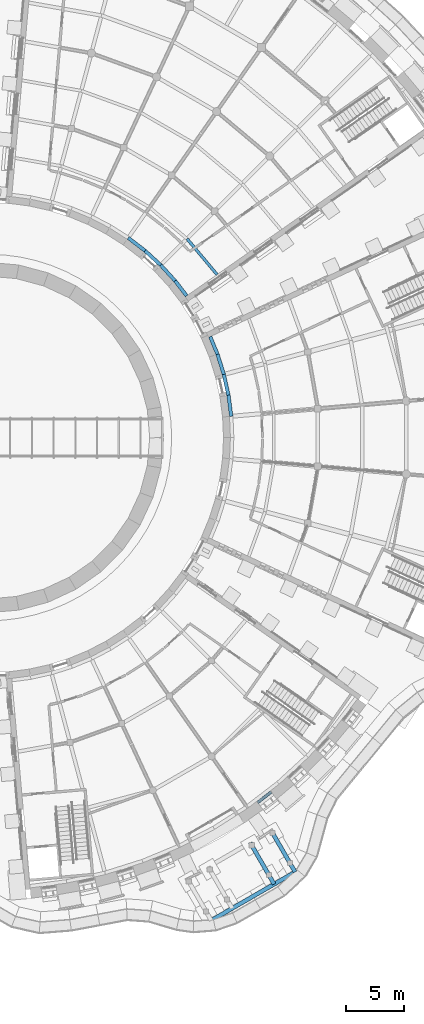
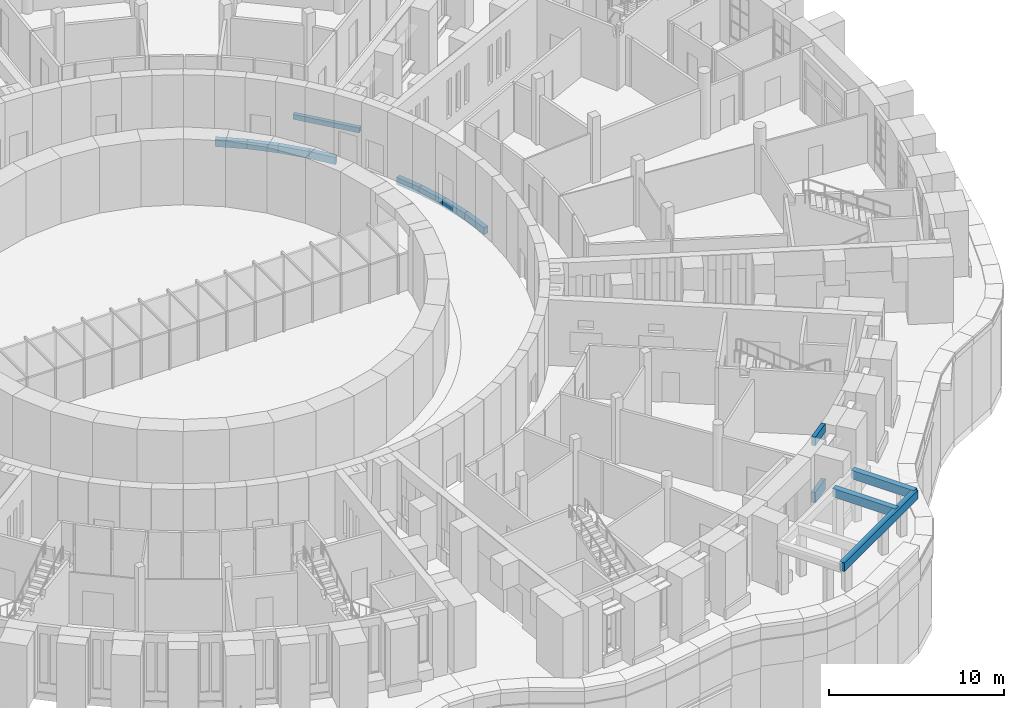
# One storey, part 18 of 85: 14 beams.
"""IFC4 building model written with IfcOpenShell, lengths in metres."""

from ifc_helpers import new_model, si_unit, direction, frame, origin, origin_2d, place, context, subcontext, project, spatial, rectangle, extrude, material, material_profile, profile_set, type_object, element, save


model = new_model("IFC4")

# Units and contexts
model_context = context("Model", 3, precision=1e-05, world=origin(), true_north=direction((0.0, 1.0)))
body_context = subcontext(model_context, "Body", "Model", "MODEL_VIEW")
ifc_project = project(units=[si_unit("LENGTHUNIT", "METRE"), si_unit("AREAUNIT", "SQUARE_METRE"), si_unit("VOLUMEUNIT", "CUBIC_METRE"), si_unit("PLANEANGLEUNIT", "RADIAN"), si_unit("MASSUNIT", "GRAM", prefix="KILO")], contexts=[model_context])

# Site, building, storey
site_placement = place(None, origin())
site = spatial("IfcSite", under=ifc_project, at=site_placement, CompositionType="ELEMENT")
building_placement = place(site_placement, origin())
building = spatial("IfcBuilding", under=site, at=building_placement, Name="Volute Hill Aquarium", CompositionType="ELEMENT")
storey_placement = place(building_placement, origin())
storey = spatial("IfcBuildingStorey", under=building, at=storey_placement, Name="L01", CompositionType="ELEMENT", Elevation=0.0)

# Beams
ifc_material_1 = material(Name="Concrete C35/45", Category="concrete")
ifc_material_profile_1 = material_profile(ifc_material_1, rectangle(XDim=0.35009765625, YDim=0.60009765625, at=origin_2d()), Name="RC edge beam 350x600")
ifc_profile_set_1 = profile_set([ifc_material_profile_1], Name="Concrete C35/45")
beam_type_1 = type_object("IfcBeamType", Name="Canopy edge beam RC 350x600", PredefinedType="BEAM", material=ifc_profile_set_1)
for number, where, z_axis, x_axis, name in (
    (1, (22.71875, -35.14990234375, 3.159912109375), (0.499992353047, -0.86602981871, 0.0), (0.86602981871, 0.499992353047, 0.0), "cn/S3/L01/b2"),
    (2, (24.537353515625, -34.099853515625, 3.159912109375), (0.499992353047, -0.86602981871, 0.0), (0.86602981871, 0.499992353047, 0.0), "cn/S3/L01/b3"),
):
    element("IfcBeam", number, at=place(storey_placement, frame(where, z_axis=z_axis, x_axis=x_axis)), inside=storey, type_object=beam_type_1, Name=name, PredefinedType="BEAM", context=body_context, shape_type="SweptSolid", body=[
        extrude(rectangle(XDim=0.35009765625, YDim=0.60009765625, at=origin_2d()), origin(), (0.0, 0.0, 1.0), 4.14990234375),
    ])
beam_1_placement = place(storey_placement, frame((19.337646484375, -41.893798828125, 3.159912109375), z_axis=(0.86602925447, 0.499993330357, 0.0), x_axis=(-0.499993330357, 0.86602925447, 0.0)))
element("IfcBeam", 3, at=beam_1_placement, inside=storey, type_object=beam_type_1, Name="cn/S3/L01/xfront", PredefinedType="BEAM", context=body_context, shape_type="SweptSolid", body=[
    extrude(rectangle(XDim=0.35009765625, YDim=0.60009765625, at=origin_2d()), origin(), (0.0, 0.0, 1.0), 8.39990234375),
])
ifc_material_2 = material(Name="Concrete C35/45", Category="concrete")
ifc_material_profile_2 = material_profile(ifc_material_2, rectangle(XDim=0.300048828125, YDim=0.5, at=origin_2d()), Name="RC edge beam 300x500")
ifc_profile_set_2 = profile_set([ifc_material_profile_2], Name="Concrete C35/45")
beam_type_2 = type_object("IfcBeamType", Name="Edge beam 300x500 C35/45", PredefinedType="BEAM", material=ifc_profile_set_2)
beam_2_placement = place(storey_placement, frame((21.069580078125, 1.843505859375, -0.489990234375), z_axis=(-0.130481898303, 0.991450691772, 0.0), x_axis=(-0.991450691772, -0.130481898303, 0.0)))
element("IfcBeam", 4, at=beam_2_placement, inside=storey, type_object=beam_type_2, Name="bm/S4/L01/edgeD.25", PredefinedType="BEAM", context=body_context, shape_type="SweptSolid", body=[
    extrude(rectangle(XDim=0.300048828125, YDim=0.5, at=origin_2d()), origin(), (0.0, 0.0, 1.0), 1.844970703125),
])
for number, where, z_axis, x_axis, name in (
    (5, (20.828857421875, 3.672607421875, -0.489990234375), (-0.216454127071, 0.976292789523, 0.0), (-0.976292789523, -0.216454127071, 0.0), "bm/S4/L01/edgeD.26"),
    (6, (20.429443359375, 5.47412109375, -0.489990234375), (-0.300745072312, 0.953704567191, 0.0), (-0.953704567191, -0.300745072312, 0.0), "bm/S4/L01/edgeD.27"),
):
    element("IfcBeam", number, at=place(storey_placement, frame(where, z_axis=z_axis, x_axis=x_axis)), inside=storey, type_object=beam_type_2, Name=name, PredefinedType="BEAM", context=body_context, shape_type="SweptSolid", body=[
        extrude(rectangle(XDim=0.300048828125, YDim=0.5, at=origin_2d()), origin(), (0.0, 0.0, 1.0), 1.84521484375),
    ])
beam_3_placement = place(storey_placement, frame((19.87451171875, 7.23388671875, -0.489990234375), z_axis=(-0.382675169935, 0.923882954879, 0.0), x_axis=(-0.923882954879, -0.382675169935, 0.0)))
element("IfcBeam", 7, at=beam_3_placement, inside=storey, type_object=beam_type_2, Name="bm/S4/L01/edgeD.28", PredefinedType="BEAM", context=body_context, shape_type="SweptSolid", body=[
    extrude(rectangle(XDim=0.300048828125, YDim=0.5, at=origin_2d()), origin(), (0.0, 0.0, 1.0), 1.644775390625),
])
beam_4_placement = place(storey_placement, frame((17.203369140625, 12.2900390625, -0.5400390625), z_axis=(-0.608820957391, 0.793307659009, 0.0), x_axis=(-0.793307659009, -0.608820957391, 0.0)))
element("IfcBeam", 8, at=beam_4_placement, inside=storey, type_object=beam_type_2, Name="bm/S5/L01/edgeD.32", PredefinedType="BEAM", context=body_context, shape_type="SweptSolid", body=[
    extrude(rectangle(XDim=0.300048828125, YDim=0.5, at=origin_2d()), origin(), (0.0, 0.0, 1.0), 1.64501953125),
])
for number, where, z_axis, x_axis, name in (
    (9, (16.201904296875, 13.594970703125, -0.5400390625), (-0.675604786356, 0.73726397759, 0.0), (-0.73726397759, -0.675604786356, 0.0), "bm/S5/L01/edgeD.33"),
    (10, (14.955322265625, 14.955322265625, -0.5400390625), (-0.73726397759, 0.675604786356, 0.0), (-0.675604786356, -0.73726397759, 0.0), "bm/S5/L01/edgeD.34"),
    (11, (13.594970703125, 16.201904296875, -0.5400390625), (-0.79334647843, 0.608770371457, 0.0), (-0.608770371457, -0.79334647843, 0.0), "bm/S5/L01/edgeD.35"),
):
    element("IfcBeam", number, at=place(storey_placement, frame(where, z_axis=z_axis, x_axis=x_axis)), inside=storey, type_object=beam_type_2, Name=name, PredefinedType="BEAM", context=body_context, shape_type="SweptSolid", body=[
        extrude(rectangle(XDim=0.300048828125, YDim=0.5, at=origin_2d()), origin(), (0.0, 0.0, 1.0), 1.84521484375),
    ])
ifc_material_3 = material(Name="Concrete C35/45", Category="concrete")
ifc_material_profile_3 = material_profile(ifc_material_3, rectangle(XDim=0.25, YDim=0.35009765625, at=origin_2d()), Name="RC joist 250x350")
ifc_profile_set_3 = profile_set([ifc_material_profile_3], Name="Concrete C35/45")
beam_type_3 = type_object("IfcBeamType", Name="Joist 250x350 C35/45", PredefinedType="BEAM", material=ifc_profile_set_3)
beam_5_placement = place(storey_placement, frame((19.843017578125, 14.13818359375, -0.465087890625), z_axis=(-0.642831451893, 0.766007653002, 0.0), x_axis=(-0.766007653002, -0.642831451893, 0.0)))
element("IfcBeam", 12, at=beam_5_placement, inside=storey, type_object=beam_type_3, Name="bm/S5/L01/jst1", PredefinedType="BEAM", context=body_context, shape_type="SweptSolid", body=[
    extrude(rectangle(XDim=0.25, YDim=0.35009765625, at=origin_2d()), origin(), (0.0, 0.0, 1.0), 4.04931640625),
])
ifc_material_4 = material(Name="Concrete C35/45", Category="concrete")
ifc_material_profile_4 = material_profile(ifc_material_4, rectangle(XDim=0.25, YDim=0.60009765625, at=origin_2d()), Name="RC beam 250x600")
ifc_profile_set_4 = profile_set([ifc_material_profile_4], Name="Concrete C35/45")
beam_type_4 = type_object("IfcBeamType", Name="Niche head beam RC 250x600 C35/45", PredefinedType="BEAM", material=ifc_profile_set_4)
beam_6_placement = place(storey_placement, frame((23.356201171875, -31.66162109375, 4.300048828125), z_axis=(0.793421630925, 0.608672420584, 0.0), x_axis=(-0.608672420584, 0.793421630925, 0.0)))
element("IfcBeam", 13, at=beam_6_placement, inside=storey, type_object=beam_type_4, Name="Niche head beam OWB S3 L01 7", PredefinedType="BEAM", context=body_context, shape_type="SweptSolid", body=[
    extrude(rectangle(XDim=0.25, YDim=0.60009765625, at=origin_2d()), origin(), (0.0, 0.0, 1.0), 1.4892578125),
])
ifc_material_5 = material(Name="Concrete C35/45", Category="concrete")
ifc_material_profile_5 = material_profile(ifc_material_5, rectangle(XDim=0.25, YDim=0.75, at=origin_2d()), Name="RC beam 250x750")
ifc_profile_set_5 = profile_set([ifc_material_profile_5], Name="Concrete C35/45")
beam_type_5 = type_object("IfcBeamType", Name="Niche sill beam RC 250x750 C35/45", PredefinedType="BEAM", material=ifc_profile_set_5)
beam_7_placement = place(storey_placement, frame((23.356201171875, -31.66162109375, 0.375), z_axis=(0.793421630925, 0.608672420584, 0.0), x_axis=(-0.608672420584, 0.793421630925, 0.0)))
element("IfcBeam", 14, at=beam_7_placement, inside=storey, type_object=beam_type_5, Name="Niche sill beam OWB S3 L01 7", PredefinedType="BEAM", context=body_context, shape_type="SweptSolid", body=[
    extrude(rectangle(XDim=0.25, YDim=0.75, at=origin_2d()), origin(), (0.0, 0.0, 1.0), 1.4892578125),
])

save(model, "model.ifc")
